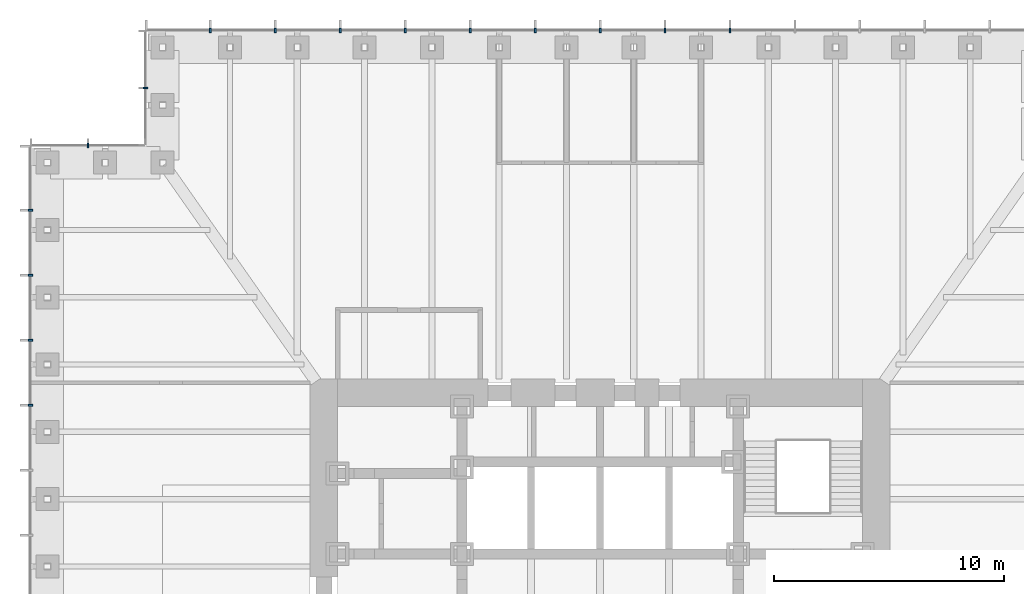
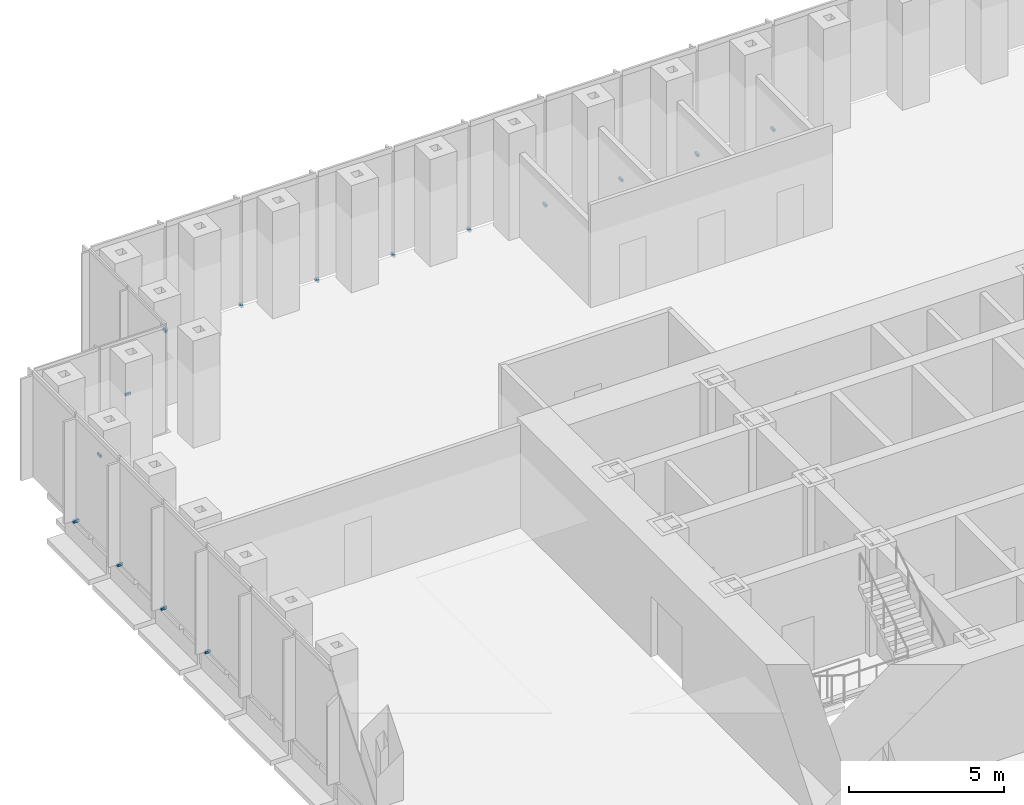
# One storey, part 14 of 16: 15 discrete accessories.
"""IFC4 building model written with IfcOpenShell, lengths in metres."""

from ifc_helpers import new_model, si_unit, direction, frame, origin, origin_2d, place, context, subcontext, project, spatial, rectangle, extrude, element, save


model = new_model("IFC4")

# Units and contexts
model_context = context("Model", 3, precision=1e-05, world=origin(), true_north=direction((0.0, 1.0)))
body_context = subcontext(model_context, "Body", "Model", "MODEL_VIEW")
ifc_project = project(units=[si_unit("LENGTHUNIT", "METRE"), si_unit("AREAUNIT", "SQUARE_METRE"), si_unit("VOLUMEUNIT", "CUBIC_METRE"), si_unit("PLANEANGLEUNIT", "RADIAN"), si_unit("MASSUNIT", "GRAM", prefix="KILO")], contexts=[model_context])

# Site, building, storey
site_placement = place(None, origin())
site = spatial("IfcSite", under=ifc_project, at=site_placement, CompositionType="ELEMENT")
building_placement = place(site_placement, origin())
building = spatial("IfcBuilding", under=site, at=building_placement, Name="Daluyong Arena Tower", CompositionType="ELEMENT")
storey_placement = place(building_placement, frame((0.0, 0.0, 39.10009765625)))
storey = spatial("IfcBuildingStorey", under=building, at=storey_placement, Name="L07", CompositionType="ELEMENT", Elevation=39.10009765625)

# Discrete accessories
for number, where, z_axis, x_axis, name in (
    (1, (61.642822265625, 104.75, -0.10009765625), (0.0, 0.0, 1.0), (-1.0, 0.0, 0.0), "curtain wall L07 N anchor bracket 6"),
    (2, (58.821533203125, 104.75, -0.10009765625), (0.0, 0.0, 1.0), (-1.0, 0.0, 0.0), "curtain wall L07 N anchor bracket 7"),
    (3, (56.0, 104.75, -0.10009765625), (0.0, 0.0, 1.0), (-1.0, 0.0, 0.0), "curtain wall L07 N anchor bracket 8"),
    (4, (53.178466796875, 104.75, -0.10009765625), (0.0, 0.0, 1.0), (-1.0, 0.0, 0.0), "curtain wall L07 N anchor bracket 9"),
    (5, (50.357177734375, 104.75, -0.10009765625), (0.0, 0.0, 1.0), (-1.0, 0.0, 0.0), "curtain wall L07 N anchor bracket 10"),
    (6, (47.53564453125, 104.75, -0.10009765625), (0.0, 0.0, 1.0), (-1.0, 0.0, 0.0), "curtain wall L07 N anchor bracket 11"),
    (7, (44.71435546875, 104.75, -0.10009765625), (0.0, 0.0, 1.0), (-1.0, 0.0, 0.0), "curtain wall L07 N anchor bracket 12"),
    (8, (41.892822265625, 104.75, -0.10009765625), (0.0, 0.0, 1.0), (-1.0, 0.0, 0.0), "curtain wall L07 N anchor bracket 13"),
    (9, (39.071533203125, 104.75, -0.10009765625), (0.0, 0.0, 1.0), (-1.0, 0.0, 0.0), "curtain wall L07 N anchor bracket 14"),
):
    element("IfcDiscreteAccessory", number, at=place(storey_placement, frame(where, z_axis=z_axis, x_axis=x_axis)), inside=storey, Name=name, PredefinedType="BRACKET", context=body_context, shape_type="SweptSolid", body=[
        extrude(rectangle(XDim=0.080078125, YDim=0.199951171875, at=origin_2d()), origin(), (0.0, 0.0, 1.0), 0.10009765625),
    ])
for number, where, z_axis, x_axis, name in (
    (10, (36.25, 102.25, -0.10009765625), (0.0, 0.0, 1.0), (0.0, -1.0, 0.0), "curtain wall L07 NW-W anchor bracket 2"),
    (11, (33.75, 99.75, -0.10009765625), (0.0, 0.0, 1.0), (-1.0, 0.0, 0.0), "curtain wall L07 NW-N anchor bracket 2"),
):
    element("IfcDiscreteAccessory", number, at=place(storey_placement, frame(where, z_axis=z_axis, x_axis=x_axis)), inside=storey, Name=name, PredefinedType="BRACKET", context=body_context, shape_type="SweptSolid", body=[
        extrude(rectangle(XDim=0.06005859375, YDim=0.199951171875, at=origin_2d()), origin(), (0.0, 0.0, 1.0), 0.10009765625),
    ])
for number, where, z_axis, x_axis, name in (
    (12, (31.25, 96.928466796875, -0.10009765625), (0.0, 0.0, 1.0), (0.0, -1.0, 0.0), "curtain wall L07 W anchor bracket 2"),
    (13, (31.25, 94.107177734375, -0.10009765625), (0.0, 0.0, 1.0), (0.0, -1.0, 0.0), "curtain wall L07 W anchor bracket 3"),
    (14, (31.25, 91.28564453125, -0.10009765625), (0.0, 0.0, 1.0), (0.0, -1.0, 0.0), "curtain wall L07 W anchor bracket 4"),
    (15, (31.25, 88.46435546875, -0.10009765625), (0.0, 0.0, 1.0), (0.0, -1.0, 0.0), "curtain wall L07 W anchor bracket 5"),
):
    element("IfcDiscreteAccessory", number, at=place(storey_placement, frame(where, z_axis=z_axis, x_axis=x_axis)), inside=storey, Name=name, PredefinedType="BRACKET", context=body_context, shape_type="SweptSolid", body=[
        extrude(rectangle(XDim=0.080078125, YDim=0.199951171875, at=origin_2d()), origin(), (0.0, 0.0, 1.0), 0.10009765625),
    ])

save(model, "model.ifc")
